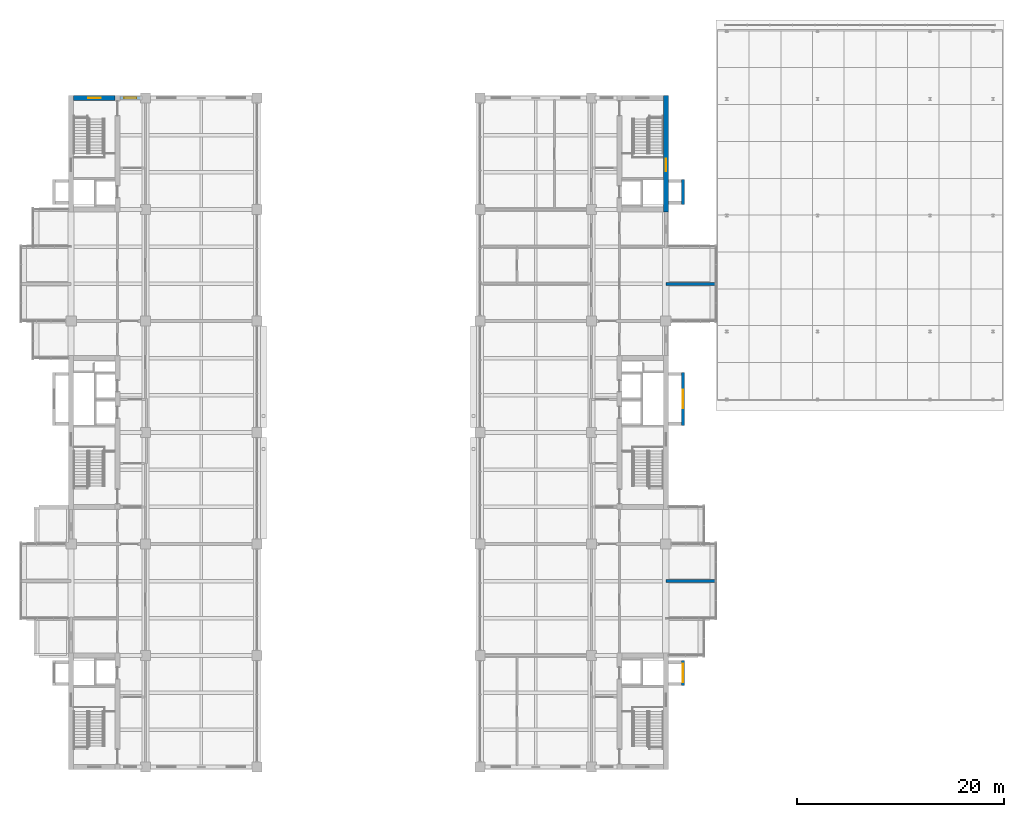
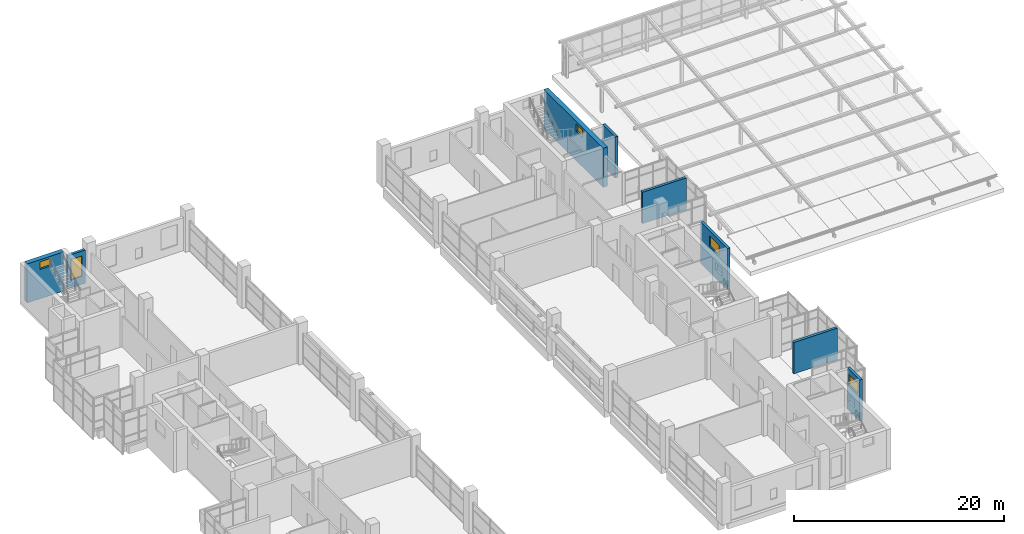
# One storey, part 40 of 44: 8 walls, 5 windows, 5 openings.
"""IFC4 building model written with IfcOpenShell, lengths in metres."""

from ifc_helpers import new_model, si_unit, direction, frame, frame_2d, origin, place, context, subcontext, project, spatial, rectangle, extrude, material, layer, layer_set, type_object, element, fill, save


model = new_model("IFC4")

# Units and contexts
model_context = context("Model", 3, precision=1e-05, world=origin(), true_north=direction((0.0, 1.0)))
body_context = subcontext(model_context, "Body", "Model", "MODEL_VIEW")
ifc_project = project(units=[si_unit("LENGTHUNIT", "METRE"), si_unit("AREAUNIT", "SQUARE_METRE"), si_unit("VOLUMEUNIT", "CUBIC_METRE"), si_unit("PLANEANGLEUNIT", "RADIAN"), si_unit("MASSUNIT", "GRAM", prefix="KILO")], contexts=[model_context])

# Site, building, storey
site_placement = place(None, origin())
site = spatial("IfcSite", under=ifc_project, at=site_placement, CompositionType="ELEMENT")
building_placement = place(site_placement, origin())
building = spatial("IfcBuilding", under=site, at=building_placement, Name="Basin Gate Institute", CompositionType="ELEMENT")
storey_placement = place(building_placement, frame((0.0, 0.0, 27.0)))
storey = spatial("IfcBuildingStorey", under=building, at=storey_placement, Name="L05", CompositionType="ELEMENT", Elevation=27.0)

# Walls
ifc_material_1 = material(Name="Aluminium-faced insulated panel wall", Category="aluminium")
ifc_layer_1 = layer(ifc_material_1, 0.300048828125)
ifc_layer_set_1 = layer_set([ifc_layer_1], Name="Capsule side wall EW2 EI 120")
wall_type_1 = type_object("IfcWallType", Name="Capsule side wall EW2 EI 120", PredefinedType="STANDARD", material=ifc_layer_set_1)
for number, where, z_axis, x_axis, name in (
    (1, (123.60009765625, 53.10009765625, 0.0), (0.0, 0.0, 1.0), (-1.0, 0.0, 0.0), "Capsule side wall E wing L05 line 6"),
    (2, (123.60009765625, 81.89990234375, 0.0), (0.0, 0.0, 1.0), (-1.0, 0.0, 0.0), "Capsule side wall E wing L05 line 14"),
):
    element("IfcWall", number, at=place(storey_placement, frame(where, z_axis=z_axis, x_axis=x_axis)), inside=storey, type_object=wall_type_1, material=ifc_layer_set_1, Name=name, PredefinedType="STANDARD", context=body_context, shape_type="SweptSolid", body=[
        extrude(rectangle(XDim=4.800048828125, YDim=0.300048828125, at=frame_2d((2.39990234375, 0.0))), origin(), (0.0, 0.0, 1.0), 3.64990234375),
    ])

# Wall, opening, window
ifc_material_2 = material(Name="Aluminium-faced insulated panel wall", Category="aluminium")
ifc_layer_2 = layer(ifc_material_2, 0.300048828125)
ifc_layer_set_2 = layer_set([ifc_layer_2], Name="External wall EW1 EI 120")
wall_type_2 = type_object("IfcWallType", Name="External wall EW1 EI 120", PredefinedType="STANDARD", material=ifc_layer_set_2)
wall_1_placement = place(storey_placement, frame((65.949951171875, 99.89990234375, 0.0), z_axis=(0.0, 0.0, 1.0), x_axis=(1.0, 0.0, 0.0)))
wall_1 = element("IfcWall", 3, at=wall_1_placement, inside=storey, type_object=wall_type_2, material=ifc_layer_set_2, Name="External end wall W wing north L05 1", PredefinedType="STANDARD", context=body_context, shape_type="SweptSolid", body=[
    extrude(rectangle(XDim=1.949951171875, YDim=0.300048828125, at=frame_2d((0.97509765625, 0.0))), origin(), (0.0, 0.0, 1.0), 3.85009765625),
])
opening_1_placement = place(wall_1_placement, frame((0.375, 0.0, 0.89990234375)))
opening_1 = element("IfcOpeningElement", 4, at=opening_1_placement, cuts=wall_1, Name="Opening WN4", PredefinedType="OPENING", context=body_context, shape_type="SweptSolid", body=[
    extrude(rectangle(XDim=1.199951171875, YDim=2.39990234375, at=frame_2d((0.60009765625, 1.199951171875))), frame((0.0, 0.16015625, 0.0), z_axis=(0.0, -1.0, 0.0), x_axis=(1.0, 0.0, 0.0)), (0.0, 0.0, 1.0), 0.320068359375),
])
ifc_material_3 = material(Name="Aluminium-framed double glazing", Category="aluminium")
window_type_1 = type_object("IfcWindowType", Name="Corridor end window WN4", PartitioningType="SINGLE_PANEL", PredefinedType="WINDOW", material=ifc_material_3)
window_1_placement = place(opening_1_placement, origin())
window_1 = element("IfcWindow", 5, at=window_1_placement, inside=storey, type_object=window_type_1, material=ifc_material_3, Name="Corridor end window W wing N L05", OverallHeight=2.39990234375, OverallWidth=1.199951171875, PartitioningType="SINGLE_PANEL", PredefinedType="WINDOW", context=body_context, shape_type="SweptSolid", body=[
    extrude(rectangle(XDim=1.199951171875, YDim=2.39990234375, at=frame_2d((0.60009765625, 1.199951171875))), frame((0.0, 0.030029296875, 0.0), z_axis=(0.0, -1.0, 0.0), x_axis=(1.0, 0.0, 0.0)), (0.0, 0.0, 1.0), 0.06005859375),
])
fill(opening_1, window_1)

ifc_material_4 = material(Name="Concrete 50 MPa", Category="concrete")
ifc_layer_3 = layer(ifc_material_4, 0.300048828125)
ifc_layer_set_3 = layer_set([ifc_layer_3], Name="Concrete 50 MPa")
wall_type_3 = type_object("IfcWallType", Name="Wall SK1 R120", PredefinedType="SHEAR", material=ifc_layer_set_3)
wall_2_placement = place(storey_placement, frame((120.449951171875, 43.0, 0.0), z_axis=(0.0, 0.0, 1.0), x_axis=(0.0, 1.0, 0.0)))
wall_2 = element("IfcWall", 6, at=wall_2_placement, inside=storey, type_object=wall_type_3, material=ifc_layer_set_3, Name="Spine riser stack wall SK1 ES F L05", PredefinedType="SHEAR", context=body_context, shape_type="SweptSolid", body=[
    extrude(rectangle(XDim=2.39990234375, YDim=0.300048828125, at=frame_2d((1.199951171875, 0.0))), origin(), (0.0, 0.0, 1.0), 4.800048828125),
])
opening_2_placement = place(wall_2_placement, frame((0.300048828125, 0.0, 3.0)))
opening_2 = element("IfcOpeningElement", 7, at=opening_2_placement, cuts=wall_2, Name="Opening WL2", PredefinedType="OPENING", context=body_context, shape_type="SweptSolid", body=[
    extrude(rectangle(XDim=1.800048828125, YDim=1.199951171875, at=frame_2d((0.89990234375, 0.60009765625))), frame((0.0, 0.16015625, 0.0), z_axis=(0.0, -1.0, 0.0), x_axis=(1.0, 0.0, 0.0)), (0.0, 0.0, 1.0), 0.320068359375),
])
ifc_material_5 = material(Name="Aluminium louvre blades with fire damper", Category="aluminium")
window_type_2 = type_object("IfcWindowType", Name="Riser louvre EI 120 WL2", PartitioningType="SINGLE_PANEL", PredefinedType="WINDOW", material=ifc_material_5)
window_2_placement = place(opening_2_placement, origin())
window_2 = element("IfcWindow", 8, at=window_2_placement, inside=storey, type_object=window_type_2, material=ifc_material_5, Name="Riser louvre EI 120 ES riser 1 L05", OverallHeight=1.199951171875, OverallWidth=1.800048828125, PartitioningType="SINGLE_PANEL", PredefinedType="WINDOW", context=body_context, shape_type="SweptSolid", body=[
    extrude(rectangle(XDim=1.800048828125, YDim=1.199951171875, at=frame_2d((0.89990234375, 0.60009765625))), frame((0.0, 0.030029296875, 0.0), z_axis=(0.0, -1.0, 0.0), x_axis=(1.0, 0.0, 0.0)), (0.0, 0.0, 1.0), 0.06005859375),
])
fill(opening_2, window_2)

wall_3_placement = place(storey_placement, frame((120.449951171875, 68.199951171875, 0.0), z_axis=(0.0, 0.0, 1.0), x_axis=(0.0, 1.0, 0.0)))
wall_3 = element("IfcWall", 9, at=wall_3_placement, inside=storey, type_object=wall_type_3, material=ifc_layer_set_3, Name="Spine riser stack wall SK1 EM F L05", PredefinedType="SHEAR", context=body_context, shape_type="SweptSolid", body=[
    extrude(rectangle(XDim=5.10009765625, YDim=0.300048828125, at=frame_2d((2.550048828125, 0.0))), origin(), (0.0, 0.0, 1.0), 4.800048828125),
])
opening_3_placement = place(wall_3_placement, frame((1.64990234375, 0.0, 3.0)))
opening_3 = element("IfcOpeningElement", 10, at=opening_3_placement, cuts=wall_3, Name="Opening WL2", PredefinedType="OPENING", context=body_context, shape_type="SweptSolid", body=[
    extrude(rectangle(XDim=1.800048828125, YDim=1.199951171875, at=frame_2d((0.89990234375, 0.60009765625))), frame((0.0, 0.16015625, 0.0), z_axis=(0.0, -1.0, 0.0), x_axis=(1.0, 0.0, 0.0)), (0.0, 0.0, 1.0), 0.320068359375),
])
window_3_placement = place(opening_3_placement, origin())
window_3 = element("IfcWindow", 11, at=window_3_placement, inside=storey, type_object=window_type_2, material=ifc_material_5, Name="Riser louvre EI 120 EM riser 1 L05", OverallHeight=1.199951171875, OverallWidth=1.800048828125, PartitioningType="SINGLE_PANEL", PredefinedType="WINDOW", context=body_context, shape_type="SweptSolid", body=[
    extrude(rectangle(XDim=1.800048828125, YDim=1.199951171875, at=frame_2d((0.89990234375, 0.60009765625))), frame((0.0, 0.030029296875, 0.0), z_axis=(0.0, -1.0, 0.0), x_axis=(1.0, 0.0, 0.0)), (0.0, 0.0, 1.0), 0.06005859375),
])
fill(opening_3, window_3)

# Wall
wall_4_placement = place(storey_placement, frame((120.449951171875, 89.60009765625, 0.0), z_axis=(0.0, 0.0, 1.0), x_axis=(0.0, 1.0, 0.0)))
element("IfcWall", 12, at=wall_4_placement, inside=storey, type_object=wall_type_3, material=ifc_layer_set_3, Name="Spine riser stack wall SK1 EN F L05", PredefinedType="SHEAR", context=body_context, shape_type="SweptSolid", body=[
    extrude(rectangle(XDim=2.39990234375, YDim=0.300048828125, at=frame_2d((1.199951171875, 0.0))), origin(), (0.0, 0.0, 1.0), 4.800048828125),
])

# Wall, opening, window
ifc_material_6 = material(Name="Concrete 60 MPa", Category="concrete")
ifc_layer_4 = layer(ifc_material_6, 0.5)
ifc_layer_set_4 = layer_set([ifc_layer_4], Name="Concrete 60 MPa")
wall_type_4 = type_object("IfcWallType", Name="Wall SW1 R120", PredefinedType="SHEAR", material=ifc_layer_set_4)
wall_5_placement = place(storey_placement, frame((61.449951171875, 99.89990234375, 0.0), z_axis=(0.0, 0.0, 1.0), x_axis=(1.0, 0.0, 0.0)))
wall_5 = element("IfcWall", 13, at=wall_5_placement, inside=storey, type_object=wall_type_4, material=ifc_layer_set_4, Name="WALL/L05/WN/N", PredefinedType="SHEAR", context=body_context, shape_type="SweptSolid", body=[
    extrude(rectangle(XDim=4.0, YDim=0.5, at=frame_2d((2.0, 0.0))), origin(), (0.0, 0.0, 1.0), 4.550048828125),
])
opening_4_placement = place(wall_5_placement, frame((1.39990234375, 0.0, 3.39990234375)))
opening_4 = element("IfcOpeningElement", 14, at=opening_4_placement, cuts=wall_5, Name="Opening WT2", PredefinedType="OPENING", context=body_context, shape_type="SweptSolid", body=[
    extrude(rectangle(XDim=1.199951171875, YDim=0.89990234375, at=frame_2d((0.60009765625, 0.449951171875))), frame((0.0, 0.260009765625, 0.0), z_axis=(0.0, -1.0, 0.0), x_axis=(1.0, 0.0, 0.0)), (0.0, 0.0, 1.0), 0.52001953125),
])
ifc_material_7 = material(Name="Fire-resistant glazing in steel-free frame", Category="steel")
window_type_3 = type_object("IfcWindowType", Name="Rated stair window EI 120 WT2", PartitioningType="SINGLE_PANEL", PredefinedType="WINDOW", material=ifc_material_7)
window_4_placement = place(opening_4_placement, origin())
window_4 = element("IfcWindow", 15, at=window_4_placement, inside=storey, type_object=window_type_3, material=ifc_material_7, Name="Rated stair window EI 120 WN end L05", OverallHeight=0.89990234375, OverallWidth=1.199951171875, PartitioningType="SINGLE_PANEL", PredefinedType="WINDOW", context=body_context, shape_type="SweptSolid", body=[
    extrude(rectangle(XDim=1.199951171875, YDim=0.89990234375, at=frame_2d((0.60009765625, 0.449951171875))), frame((0.0, 0.030029296875, 0.0), z_axis=(0.0, -1.0, 0.0), x_axis=(1.0, 0.0, 0.0)), (0.0, 0.0, 1.0), 0.06005859375),
])
fill(opening_4, window_4)

wall_6_placement = place(storey_placement, frame((118.800048828125, 88.85009765625, 0.0), z_axis=(0.0, 0.0, 1.0), x_axis=(0.0, 1.0, 0.0)))
wall_6 = element("IfcWall", 16, at=wall_6_placement, inside=storey, type_object=wall_type_4, material=ifc_layer_set_4, Name="WALL/L05/EN/L", PredefinedType="SHEAR", context=body_context, shape_type="SweptSolid", body=[
    extrude(rectangle(XDim=11.2998046875, YDim=0.5, at=frame_2d((5.64990234375, 0.0))), origin(), (0.0, 0.0, 1.0), 4.550048828125),
])
opening_5_placement = place(wall_6_placement, frame((3.93994140625, 0.0, 3.39990234375)))
opening_5 = element("IfcOpeningElement", 17, at=opening_5_placement, cuts=wall_6, Name="Opening WT2", PredefinedType="OPENING", context=body_context, shape_type="SweptSolid", body=[
    extrude(rectangle(XDim=1.199951171875, YDim=0.89990234375, at=frame_2d((0.60009765625, 0.449951171875))), frame((0.0, 0.260009765625, 0.0), z_axis=(0.0, -1.0, 0.0), x_axis=(1.0, 0.0, 0.0)), (0.0, 0.0, 1.0), 0.52001953125),
])
window_5_placement = place(opening_5_placement, origin())
window_5 = element("IfcWindow", 18, at=window_5_placement, inside=storey, type_object=window_type_3, material=ifc_material_7, Name="Rated stair window EI 120 EN landing L05", OverallHeight=0.89990234375, OverallWidth=1.199951171875, PartitioningType="SINGLE_PANEL", PredefinedType="WINDOW", context=body_context, shape_type="SweptSolid", body=[
    extrude(rectangle(XDim=1.199951171875, YDim=0.89990234375, at=frame_2d((0.60009765625, 0.449951171875))), frame((0.0, 0.030029296875, 0.0), z_axis=(0.0, -1.0, 0.0), x_axis=(1.0, 0.0, 0.0)), (0.0, 0.0, 1.0), 0.06005859375),
])
fill(opening_5, window_5)

save(model, "model.ifc")
